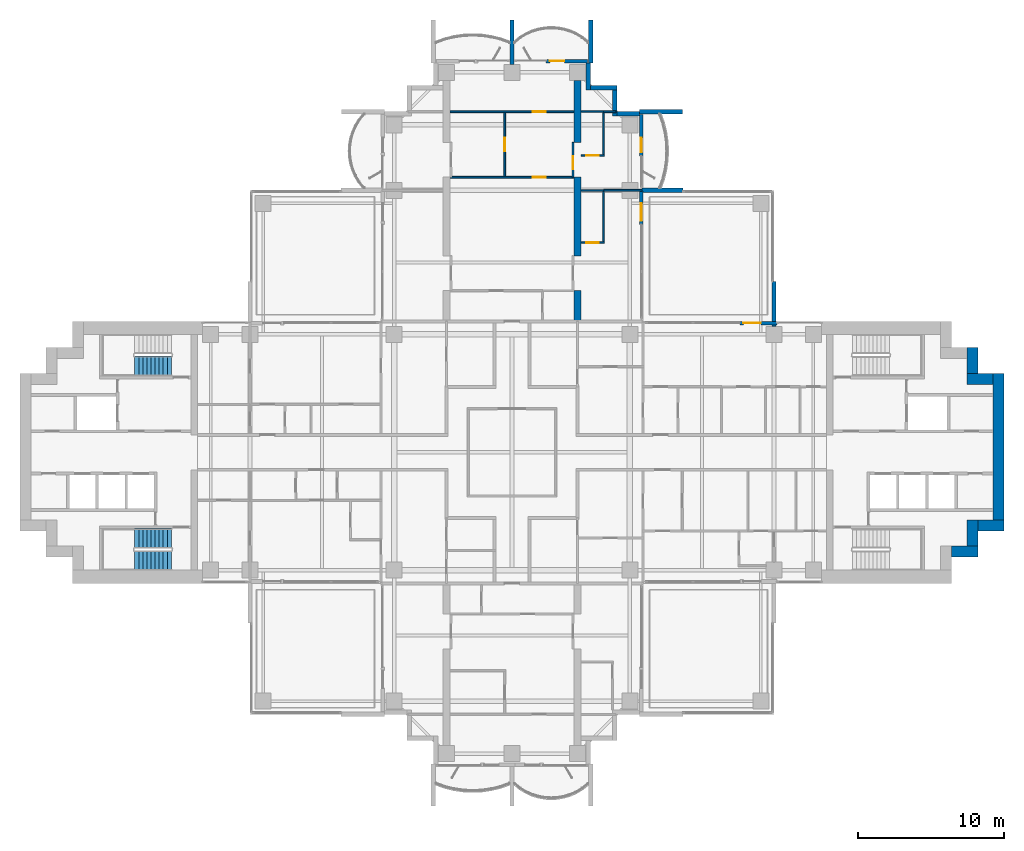
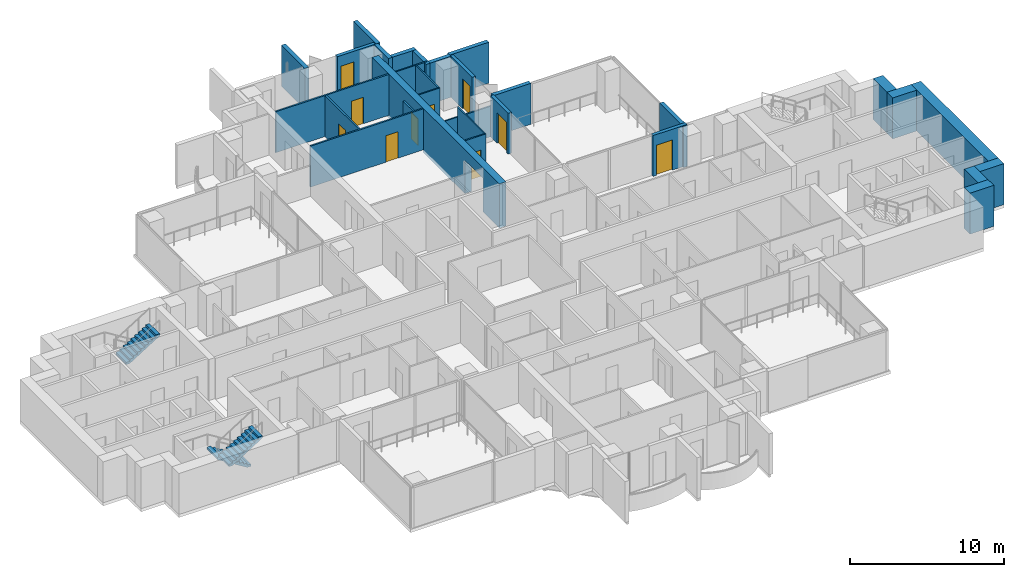
# One storey, part 14 of 19: 32 walls, 10 doors, 3 stair flights, 10 openings, 2 elements without a shape of their own.
"""IFC4 building model written with IfcOpenShell, lengths in metres."""

import ifcopenshell
import ifcopenshell.guid

model = None  # the IFC model being written
_history = None  # IfcOwnerHistory: only IFC2X3 demands one
_inside = {}  # id of a spatial element -> (the spatial element, [elements in it])
_under = {}  # id of a project, library or spatial element -> (it, [spatial elements below it])
_declared = {}  # id of a project -> (the project, [libraries it declares])
_typed = {}  # id of a type object -> (the type object, [elements of that type])
_made_of = {}  # id of a material, layer set ... -> (it, [elements and type objects made of it])


def new_model(schema):
    """Start an empty IFC model of exactly this schema.

    Asked for "IFC4X3", IfcOpenShell would pick the latest addendum, in which some entities
    have other attributes; the version numbers below select the first issue.
    IFC2X3 requires an IfcOwnerHistory on every rooted entity: one is made here for all.
    """
    global model, _history
    if schema == "IFC4X3":
        model = ifcopenshell.file(schema_version=(4, 3, 0, 0))
    else:
        model = ifcopenshell.file(schema=schema)
    _inside.clear()
    _under.clear()
    _declared.clear()
    _typed.clear()
    _made_of.clear()
    _history = None
    if model.schema == "IFC2X3":
        org = make("IfcOrganization", Name="unknown")
        user = make(
            "IfcPersonAndOrganization",
            ThePerson=make("IfcPerson", FamilyName="unknown"),
            TheOrganization=org,
        )
        app = make(
            "IfcApplication",
            ApplicationDeveloper=org,
            Version="unknown",
            ApplicationFullName="unknown",
            ApplicationIdentifier="unknown",
        )
        _history = make(
            "IfcOwnerHistory",
            OwningUser=user,
            OwningApplication=app,
            ChangeAction="ADDED",
            CreationDate=0,
        )
    return model


def make(cls, **values):
    """One entity of the class cls with the attributes given. An attribute that is None is left unset."""
    return model.create_entity(
        cls, **{name: value for name, value in values.items() if value is not None}
    )


def rooted(cls, **values):
    """An entity with a GlobalId (a new one), such as an element, a storey or a relation."""
    return make(cls, GlobalId=ifcopenshell.guid.new(), OwnerHistory=_history, **values)


def si_unit(unit_type, name, prefix=None):
    """IfcSIUnit, for example si_unit("LENGTHUNIT", "METRE", prefix="MILLI")."""
    return make("IfcSIUnit", UnitType=unit_type, Prefix=prefix, Name=name)


def assignment(units):
    """IfcUnitAssignment: the units of a project."""
    return None if units is None else make("IfcUnitAssignment", Units=units)


def point(xyz):
    """IfcCartesianPoint."""
    return None if xyz is None else make("IfcCartesianPoint", Coordinates=xyz)


def direction(xyz):
    """IfcDirection."""
    return None if xyz is None else make("IfcDirection", DirectionRatios=xyz)


def frame(location, z_axis=None, x_axis=None):
    """IfcAxis2Placement3D, a coordinate frame: its origin and axes. An axis left out is left unset."""
    return make(
        "IfcAxis2Placement3D",
        Location=point(location),
        Axis=direction(z_axis),
        RefDirection=direction(x_axis),
    )


def frame_2d(location, x_axis=None):
    """IfcAxis2Placement2D, a coordinate frame in the plane: its origin and x axis."""
    return make(
        "IfcAxis2Placement2D", Location=point(location), RefDirection=direction(x_axis)
    )


def origin():
    """The frame at (0, 0, 0) with its axes left unset."""
    return frame((0.0, 0.0, 0.0))


def place(relative_to, where):
    """IfcLocalPlacement: puts the frame where relative to a parent placement (None: the world)."""
    return make(
        "IfcLocalPlacement", PlacementRelTo=relative_to, RelativePlacement=where
    )


def context(
    kind, dimensions, precision=None, world=None, true_north=None, identifier=None
):
    """IfcGeometricRepresentationContext, for example the 3D "Model" context."""
    return make(
        "IfcGeometricRepresentationContext",
        ContextIdentifier=identifier,
        ContextType=kind,
        CoordinateSpaceDimension=dimensions,
        Precision=precision,
        WorldCoordinateSystem=world,
        TrueNorth=true_north,
    )


def subcontext(parent, identifier, kind, view, scale=None):
    """IfcGeometricRepresentationSubContext, for example "Body" below "Model"."""
    return make(
        "IfcGeometricRepresentationSubContext",
        ContextIdentifier=identifier,
        ContextType=kind,
        ParentContext=parent,
        TargetScale=scale,
        TargetView=view,
    )


def project(units=None, contexts=None):
    """IfcProject with its units and contexts."""
    return rooted(
        "IfcProject",
        Name="project",
        RepresentationContexts=contexts,
        UnitsInContext=assignment(units),
    )


def spatial(cls, under=None, at=None, **own):
    """A site, building, storey or space (cls), placed at a placement, below another one or the project."""
    s = rooted(cls, ObjectPlacement=at, **own)
    if under is not None:
        _under.setdefault(under.id(), (under, []))[1].append(s)
    return s


def polyline(points):
    """IfcPolyline through the points."""
    return make("IfcPolyline", Points=[point(p) for p in points])


def profile(cls, at=None, kind="AREA", **sizes):
    """A parametric profile (cls). Its sizes go by their IFC names, for example OverallWidth=200.0."""
    return make(cls, ProfileType=kind, Position=at, **sizes)


def rectangle(**sizes):
    """IfcRectangleProfileDef."""
    return profile("IfcRectangleProfileDef", **sizes)


def outline(outer, holes=None, kind="AREA"):
    """IfcArbitraryClosedProfileDef: a profile drawn as a closed curve; with holes, ...WithVoids."""
    if holes is None:
        return make("IfcArbitraryClosedProfileDef", ProfileType=kind, OuterCurve=outer)
    return make(
        "IfcArbitraryProfileDefWithVoids",
        ProfileType=kind,
        OuterCurve=outer,
        InnerCurves=holes,
    )


def extrude(swept, where, along, depth):
    """IfcExtrudedAreaSolid: the profile swept, set in the frame where, extruded along a direction by depth."""
    return make(
        "IfcExtrudedAreaSolid",
        SweptArea=swept,
        Position=where,
        ExtrudedDirection=direction(along),
        Depth=depth,
    )


def shape(context_of_items, identifier, shape_type, items):
    """IfcShapeRepresentation: the items that make up one representation, for example the "Body"."""
    return make(
        "IfcShapeRepresentation",
        ContextOfItems=context_of_items,
        RepresentationIdentifier=identifier,
        RepresentationType=shape_type,
        Items=items,
    )


def material(Name=None, Category=None):
    """IfcMaterial."""
    return make("IfcMaterial", Name=Name, Category=Category)


def layer(
    of_material, thickness, ventilated=None, Name=None, Category=None, Priority=None
):
    """IfcMaterialLayer: one layer of a wall or slab, of a material (None: an air gap)."""
    return make(
        "IfcMaterialLayer",
        Material=of_material,
        LayerThickness=thickness,
        IsVentilated=ventilated,
        Name=Name,
        Category=Category,
        Priority=Priority,
    )


def layer_set(layers, Name=None):
    """IfcMaterialLayerSet."""
    return make("IfcMaterialLayerSet", MaterialLayers=layers, LayerSetName=Name)


def material_profile(
    of_material, cross_section, Name=None, Category=None, Priority=None
):
    """IfcMaterialProfile: a cross section and its material."""
    return make(
        "IfcMaterialProfile",
        Name=Name,
        Material=of_material,
        Profile=cross_section,
        Priority=Priority,
        Category=Category,
    )


def profile_set(profiles, Name=None, composite=None):
    """IfcMaterialProfileSet."""
    return make(
        "IfcMaterialProfileSet",
        Name=Name,
        MaterialProfiles=profiles,
        CompositeProfile=composite,
    )


def made_of(thing, what):
    """Note that an element or type object is made of a material, layer set ...; save() writes the relation."""
    if what is not None:
        _made_of.setdefault(what.id(), (what, []))[1].append(thing)
    return thing


def type_object(cls, material=None, **own):
    """A type object (cls), such as IfcWallType, which elements share."""
    return made_of(rooted(cls, **own), material)


def element(
    cls,
    number,
    at=None,
    inside=None,
    cuts=None,
    type_object=None,
    material=None,
    context=None,
    identifier="Body",
    shape_type=None,
    held_by="IfcProductDefinitionShape",
    body=None,
    shapes=None,
    **own,
):
    """One element of the class cls, such as IfcWall. Its Tag is "e" and its number.

    at: its placement. inside: the storey or other place that contains it. cuts: it is an
    opening in that element (IfcRelVoidsElement). A single representation is given by context,
    identifier, shape_type and body (its items); several are given by shapes. held_by: the class
    of the entity that holds the representations. save() writes the other relations.
    """
    e = rooted(cls, Tag="e%d" % number, ObjectPlacement=at, **own)
    if body is not None:
        shapes = [shape(context, identifier, shape_type, body)]
    if shapes is not None:
        e.Representation = make(held_by, Representations=shapes)
    if inside is not None:
        _inside.setdefault(inside.id(), (inside, []))[1].append(e)
    if cuts is not None:
        rooted(
            "IfcRelVoidsElement", RelatingBuildingElement=cuts, RelatedOpeningElement=e
        )
    if type_object is not None:
        _typed.setdefault(type_object.id(), (type_object, []))[1].append(e)
    return made_of(e, material)


def fill(opening, filler):
    """IfcRelFillsElement: the door or window that sits in an opening."""
    return rooted(
        "IfcRelFillsElement",
        RelatingOpeningElement=opening,
        RelatedBuildingElement=filler,
    )


def aggregate(whole, parts):
    """IfcRelAggregates: a whole, such as a stair, and the parts it consists of."""
    return rooted("IfcRelAggregates", RelatingObject=whole, RelatedObjects=parts)


def save(model, path):
    """Write the relations noted so far, then the file.

    IfcRelAggregates (storeys below a building ...), IfcRelContainedInSpatialStructure (elements
    in a storey), IfcRelDefinesByType, IfcRelAssociatesMaterial and IfcRelDeclares: one each for
    every whole, place, type object, material and project.
    """
    for whole, parts in _under.values():
        aggregate(whole, parts)
    for where, things in _inside.values():
        rooted(
            "IfcRelContainedInSpatialStructure",
            RelatedElements=things,
            RelatingStructure=where,
        )
    for kind, things in _typed.values():
        rooted("IfcRelDefinesByType", RelatedObjects=things, RelatingType=kind)
    for what, things in _made_of.values():
        rooted("IfcRelAssociatesMaterial", RelatedObjects=things, RelatingMaterial=what)
    for by, libraries in _declared.values():
        rooted("IfcRelDeclares", RelatingContext=by, RelatedDefinitions=libraries)
    model.write(path)


model = new_model("IFC4")

# Units and contexts
model_context = context("Model", 3, precision=1e-05, world=origin(), true_north=direction((0.0, 1.0)))
body_context = subcontext(model_context, "Body", "Model", "MODEL_VIEW")
ifc_project = project(units=[si_unit("LENGTHUNIT", "METRE"), si_unit("AREAUNIT", "SQUARE_METRE"), si_unit("VOLUMEUNIT", "CUBIC_METRE"), si_unit("PLANEANGLEUNIT", "RADIAN"), si_unit("MASSUNIT", "GRAM", prefix="KILO")], contexts=[model_context])

# Site, building, storey
site_placement = place(None, origin())
site = spatial("IfcSite", under=ifc_project, at=site_placement, CompositionType="ELEMENT")
building_placement = place(site_placement, origin())
building = spatial("IfcBuilding", under=site, at=building_placement, Name="Perihelion Cross Residences", CompositionType="ELEMENT")
storey_placement = place(building_placement, frame((0.0, 0.0, 119.89990234375)))
storey = spatial("IfcBuildingStorey", under=building, at=storey_placement, Name="L28", CompositionType="ELEMENT", Elevation=119.89990234375)

# Wall, opening, door
ifc_material_1 = material(Name="Concrete C30/37, bronze-clad", Category="concrete")
ifc_layer_1 = layer(ifc_material_1, 0.25)
ifc_layer_set_1 = layer_set([ifc_layer_1], Name="Bronze-clad pier wall 250")
wall_type_1 = type_object("IfcWallType", Name="Bronze-clad pier wall 250", PredefinedType="SOLIDWALL", material=ifc_layer_set_1)
wall_1_placement = place(storey_placement, frame((18.199951171875, 8.875, 0.0), z_axis=(0.0, 0.0, 1.0), x_axis=(-1.0, 0.0, 0.0)))
wall_1 = element("IfcWall", 1, at=wall_1_placement, inside=storey, type_object=wall_type_1, Name="Wall FW1 L28 east side north bay 2 pier", PredefinedType="SOLIDWALL", context=body_context, shape_type="SweptSolid", body=[
    extrude(rectangle(XDim=2.550048828125, YDim=0.25, at=frame_2d((1.27490234375, 0.0))), origin(), (0.0, 0.0, 1.0), 3.25),
])
opening_1_placement = place(wall_1_placement, frame((1.10009765625, 0.0, 0.0)))
opening_1 = element("IfcOpeningElement", 2, at=opening_1_placement, cuts=wall_1, Name="Opening L28.E01", PredefinedType="OPENING", context=body_context, shape_type="SweptSolid", body=[
    extrude(rectangle(XDim=1.199951171875, YDim=2.39990234375, at=frame_2d((0.60009765625, 1.199951171875))), frame((0.0, 0.135009765625, 0.0), z_axis=(0.0, -1.0, 0.0), x_axis=(1.0, 0.0, 0.0)), (0.0, 0.0, 1.0), 0.27001953125),
])
ifc_material_2 = material(Name="Bronze anodised aluminium, glazed", Category="aluminium")
door_type_1 = type_object("IfcDoorType", Name="Balcony door 1200 x 2400", OperationType="NOTDEFINED", PredefinedType="DOOR", material=ifc_material_2)
door_1_placement = place(opening_1_placement, origin())
door_1 = element("IfcDoor", 3, at=door_1_placement, inside=storey, type_object=door_type_1, Name="Door L28.E01 east side north bay 2", OperationType="SINGLE_SWING_RIGHT", OverallHeight=2.39990234375, OverallWidth=1.199951171875, PredefinedType="DOOR", context=body_context, shape_type="SweptSolid", body=[
    extrude(rectangle(XDim=1.199951171875, YDim=2.39990234375, at=frame_2d((0.60009765625, 1.199951171875))), frame((0.0, 0.02490234375, 0.0), z_axis=(0.0, -1.0, 0.0), x_axis=(1.0, 0.0, 0.0)), (0.0, 0.0, 1.0), 0.050048828125),
])
fill(opening_1, door_1)

wall_2_placement = place(storey_placement, frame((8.875, 15.64990234375, 0.0), z_axis=(0.0, 0.0, 1.0), x_axis=(0.0, 1.0, 0.0)))
wall_2 = element("IfcWall", 4, at=wall_2_placement, inside=storey, type_object=wall_type_1, Name="Wall FW1 L28 north side east bay 1 pier", PredefinedType="SOLIDWALL", context=body_context, shape_type="SweptSolid", body=[
    extrude(rectangle(XDim=2.2900390625, YDim=0.25, at=frame_2d((1.14501953125, 0.0))), origin(), (0.0, 0.0, 1.0), 3.25),
])
opening_2_placement = place(wall_2_placement, frame((0.25, 0.0, 0.0)))
opening_2 = element("IfcOpeningElement", 5, at=opening_2_placement, cuts=wall_2, Name="Opening L28.E02", PredefinedType="OPENING", context=body_context, shape_type="SweptSolid", body=[
    extrude(rectangle(XDim=1.199951171875, YDim=2.39990234375, at=frame_2d((0.60009765625, 1.199951171875))), frame((0.0, 0.135009765625, 0.0), z_axis=(0.0, -1.0, 0.0), x_axis=(1.0, 0.0, 0.0)), (0.0, 0.0, 1.0), 0.27001953125),
])
door_2_placement = place(opening_2_placement, origin())
door_2 = element("IfcDoor", 6, at=door_2_placement, inside=storey, type_object=door_type_1, Name="Door L28.E02 north side east bay 1", OperationType="SINGLE_SWING_LEFT", OverallHeight=2.39990234375, OverallWidth=1.199951171875, PredefinedType="DOOR", context=body_context, shape_type="SweptSolid", body=[
    extrude(rectangle(XDim=1.199951171875, YDim=2.39990234375, at=frame_2d((0.60009765625, 1.199951171875))), frame((0.0, 0.02490234375, 0.0), z_axis=(0.0, -1.0, 0.0), x_axis=(1.0, 0.0, 0.0)), (0.0, 0.0, 1.0), 0.050048828125),
])
fill(opening_2, door_2)

wall_3_placement = place(storey_placement, frame((8.875, 20.35009765625, 0.0), z_axis=(0.0, 0.0, 1.0), x_axis=(0.0, 1.0, 0.0)))
wall_3 = element("IfcWall", 7, at=wall_3_placement, inside=storey, type_object=wall_type_1, Name="Wall FW1 L28 north side east bay 2 pier", PredefinedType="SOLIDWALL", context=body_context, shape_type="SweptSolid", body=[
    extrude(rectangle(XDim=2.849853515625, YDim=0.25, at=frame_2d((1.4248046875, 0.0))), origin(), (0.0, 0.0, 1.0), 3.25),
])
opening_3_placement = place(wall_3_placement, frame((0.25, 0.0, 0.0)))
opening_3 = element("IfcOpeningElement", 8, at=opening_3_placement, cuts=wall_3, Name="Opening L28.E03", PredefinedType="OPENING", context=body_context, shape_type="SweptSolid", body=[
    extrude(rectangle(XDim=1.0, YDim=2.39990234375, at=frame_2d((0.5, 1.199951171875))), frame((0.0, 0.135009765625, 0.0), z_axis=(0.0, -1.0, 0.0), x_axis=(1.0, 0.0, 0.0)), (0.0, 0.0, 1.0), 0.27001953125),
])
ifc_material_3 = material(Name="Bronze anodised aluminium, glazed", Category="aluminium")
door_type_2 = type_object("IfcDoorType", Name="Balcony door 1000 x 2400", OperationType="NOTDEFINED", PredefinedType="DOOR", material=ifc_material_3)
door_3_placement = place(opening_3_placement, origin())
door_3 = element("IfcDoor", 9, at=door_3_placement, inside=storey, type_object=door_type_2, Name="Door L28.E03 north side east bay 2", OperationType="SINGLE_SWING_RIGHT", OverallHeight=2.39990234375, OverallWidth=1.0, PredefinedType="DOOR", context=body_context, shape_type="SweptSolid", body=[
    extrude(rectangle(XDim=1.0, YDim=2.39990234375, at=frame_2d((0.5, 1.199951171875))), frame((0.0, 0.02490234375, 0.0), z_axis=(0.0, -1.0, 0.0), x_axis=(1.0, 0.0, 0.0)), (0.0, 0.0, 1.0), 0.050048828125),
])
fill(opening_3, door_3)

wall_4_placement = place(storey_placement, frame((5.199951171875, 26.875, 0.0), z_axis=(0.0, 0.0, 1.0), x_axis=(-1.0, 0.0, 0.0)))
wall_4 = element("IfcWall", 10, at=wall_4_placement, inside=storey, type_object=wall_type_1, Name="Wall FW1 L28 north tip north bay 1 pier", PredefinedType="SOLIDWALL", context=body_context, shape_type="SweptSolid", body=[
    extrude(rectangle(XDim=2.849853515625, YDim=0.25, at=frame_2d((1.4248046875, 0.0))), origin(), (0.0, 0.0, 1.0), 3.25),
])
opening_4_placement = place(wall_4_placement, frame((1.60009765625, 0.0, 0.0)))
opening_4 = element("IfcOpeningElement", 11, at=opening_4_placement, cuts=wall_4, Name="Opening L28.E04", PredefinedType="OPENING", context=body_context, shape_type="SweptSolid", body=[
    extrude(rectangle(XDim=1.0, YDim=2.39990234375, at=frame_2d((0.5, 1.199951171875))), frame((0.0, 0.135009765625, 0.0), z_axis=(0.0, -1.0, 0.0), x_axis=(1.0, 0.0, 0.0)), (0.0, 0.0, 1.0), 0.27001953125),
])
door_4_placement = place(opening_4_placement, origin())
door_4 = element("IfcDoor", 12, at=door_4_placement, inside=storey, type_object=door_type_2, Name="Door L28.E04 north tip north bay 1", OperationType="SINGLE_SWING_LEFT", OverallHeight=2.39990234375, OverallWidth=1.0, PredefinedType="DOOR", context=body_context, shape_type="SweptSolid", body=[
    extrude(rectangle(XDim=1.0, YDim=2.39990234375, at=frame_2d((0.5, 1.199951171875))), frame((0.0, 0.02490234375, 0.0), z_axis=(0.0, -1.0, 0.0), x_axis=(1.0, 0.0, 0.0)), (0.0, 0.0, 1.0), 0.050048828125),
])
fill(opening_4, door_4)

# Walls
ifc_material_4 = material(Name="Concrete C30/37, bronze-clad", Category="concrete")
ifc_layer_2 = layer(ifc_material_4, 0.300048828125)
ifc_layer_set_2 = layer_set([ifc_layer_2], Name="Bronze-clad serration wall 300")
wall_type_2 = type_object("IfcWallType", Name="Bronze-clad serration wall 300", PredefinedType="SOLIDWALL", material=ifc_layer_set_2)
wall_5_placement = place(storey_placement, frame((8.75, 23.25, 0.0), z_axis=(0.0, 0.0, 1.0), x_axis=(-1.0, 0.0, 0.0)))
element("IfcWall", 13, at=wall_5_placement, inside=storey, type_object=wall_type_2, Name="Wall SR1 L28 north corner north-east 1", PredefinedType="SOLIDWALL", context=body_context, shape_type="SweptSolid", body=[
    extrude(rectangle(XDim=1.550048828125, YDim=0.300048828125, at=frame_2d((0.77490234375, 0.0))), origin(), (0.0, 0.0, 1.0), 3.25),
])
wall_6_placement = place(storey_placement, frame((7.050048828125, 23.10009765625, 0.0), z_axis=(0.0, 0.0, 1.0), x_axis=(0.0, 1.0, 0.0)))
element("IfcWall", 14, at=wall_6_placement, inside=storey, type_object=wall_type_2, Name="Wall SR1 L28 north corner north-east 2", PredefinedType="SOLIDWALL", context=body_context, shape_type="SweptSolid", body=[
    extrude(rectangle(XDim=1.7998046875, YDim=0.300048828125, at=frame_2d((0.89990234375, 0.0))), origin(), (0.0, 0.0, 1.0), 3.25),
])
wall_7_placement = place(storey_placement, frame((7.199951171875, 25.050048828125, 0.0), z_axis=(0.0, 0.0, 1.0), x_axis=(-1.0, 0.0, 0.0)))
element("IfcWall", 15, at=wall_7_placement, inside=storey, type_object=wall_type_2, Name="Wall SR1 L28 north corner north-east 3", PredefinedType="SOLIDWALL", context=body_context, shape_type="SweptSolid", body=[
    extrude(rectangle(XDim=1.800048828125, YDim=0.300048828125, at=frame_2d((0.89990234375, 0.0))), origin(), (0.0, 0.0, 1.0), 3.25),
])
wall_8_placement = place(storey_placement, frame((5.25, 24.89990234375, 0.0), z_axis=(0.0, 0.0, 1.0), x_axis=(0.0, 1.0, 0.0)))
element("IfcWall", 16, at=wall_8_placement, inside=storey, type_object=wall_type_2, Name="Wall SR1 L28 north corner north-east 4", PredefinedType="SOLIDWALL", context=body_context, shape_type="SweptSolid", body=[
    extrude(rectangle(XDim=1.85009765625, YDim=0.300048828125, at=frame_2d((0.925048828125, 0.0))), origin(), (0.0, 0.0, 1.0), 3.25),
])
ifc_material_5 = material(Name="Concrete C60/75", Category="concrete")
ifc_layer_3 = layer(ifc_material_5, 0.75)
ifc_layer_set_3 = layer_set([ifc_layer_3], Name="Core wall, outer 750")
wall_type_3 = type_object("IfcWallType", Name="Core wall, outer 750", PredefinedType="SHEAR", material=ifc_layer_set_3)
for number, where, z_axis, x_axis, name in (
    (17, (30.199951171875, -6.824951171875, 0.0), (0.0, 0.0, 1.0), (1.0, 0.0, 0.0), "East core core wall, outer"),
    (18, (31.625, -6.449951171875, 0.0), (0.0, 0.0, 1.0), (0.0, 1.0, 0.0), "East core core wall, outer"),
    (19, (32.0, -5.02490234375, 0.0), (0.0, 0.0, 1.0), (1.0, 0.0, 0.0), "East core core wall, outer"),
):
    element("IfcWall", number, at=place(storey_placement, frame(where, z_axis=z_axis, x_axis=x_axis)), inside=storey, type_object=wall_type_3, Name=name, PredefinedType="SHEAR", context=body_context, shape_type="SweptSolid", body=[
        extrude(rectangle(XDim=1.800048828125, YDim=0.75, at=frame_2d((0.89990234375, 0.0))), origin(), (0.0, 0.0, 1.0), 3.25),
    ])
wall_9_placement = place(storey_placement, frame((33.425048828125, -4.64990234375, 0.0), z_axis=(0.0, 0.0, 1.0), x_axis=(0.0, 1.0, 0.0)))
element("IfcWall", 20, at=wall_9_placement, inside=storey, type_object=wall_type_3, Name="East core core wall, outer", PredefinedType="SHEAR", context=body_context, shape_type="SweptSolid", body=[
    extrude(rectangle(XDim=10.0498046875, YDim=0.75, at=frame_2d((5.02490234375, 0.0))), origin(), (0.0, 0.0, 1.0), 3.25),
])
for number, where, z_axis, x_axis, name in (
    (21, (31.25, 5.02490234375, 0.0), (0.0, 0.0, 1.0), (1.0, 0.0, 0.0), "East core core wall, outer"),
    (22, (31.625, 5.39990234375, 0.0), (0.0, 0.0, 1.0), (0.0, 1.0, 0.0), "East core core wall, outer"),
):
    element("IfcWall", number, at=place(storey_placement, frame(where, z_axis=z_axis, x_axis=x_axis)), inside=storey, type_object=wall_type_3, Name=name, PredefinedType="SHEAR", context=body_context, shape_type="SweptSolid", body=[
        extrude(rectangle(XDim=1.800048828125, YDim=0.75, at=frame_2d((0.89990234375, 0.0))), origin(), (0.0, 0.0, 1.0), 3.25),
    ])

# Wall, opening, door
ifc_material_6 = material(Name="Plasterboard partition")
ifc_layer_4 = layer(ifc_material_6, 0.1201171875)
ifc_layer_set_4 = layer_set([ifc_layer_4], Name="Infill panel 120")
wall_type_4 = type_object("IfcWallType", Name="Infill panel 120", PredefinedType="PARTITIONING", material=ifc_layer_set_4)
wall_10_placement = place(storey_placement, frame((4.18994140625, 18.89990234375, 0.0), z_axis=(0.0, 0.0, 1.0), x_axis=(0.0, 1.0, 0.0)))
wall_10 = element("IfcWall", 23, at=wall_10_placement, inside=storey, type_object=wall_type_4, Name="Partition L28 WI02", PredefinedType="PARTITIONING", context=body_context, shape_type="SweptSolid", body=[
    extrude(rectangle(XDim=2.400146484375, YDim=0.1201171875, at=frame_2d((1.2001953125, 0.0))), origin(), (0.0, 0.0, 1.0), 2.400146484375),
])
opening_5_placement = place(wall_10_placement, frame((0.550048828125, 0.0, 0.0)))
opening_5 = element("IfcOpeningElement", 24, at=opening_5_placement, cuts=wall_10, Name="Opening L28.A54", PredefinedType="OPENING", context=body_context, shape_type="SweptSolid", body=[
    extrude(rectangle(XDim=0.89990234375, YDim=2.10009765625, at=frame_2d((0.449951171875, 1.050048828125))), frame((0.0, 0.070068359375, 0.0), z_axis=(0.0, -1.0, 0.0), x_axis=(1.0, 0.0, 0.0)), (0.0, 0.0, 1.0), 0.14013671875),
])
ifc_material_7 = material(Name="Timber door leaf", Category="wood")
door_type_3 = type_object("IfcDoorType", Name="Interior room door 900 x 2100", OperationType="SINGLE_SWING_LEFT", PredefinedType="DOOR", material=ifc_material_7)
door_5_placement = place(opening_5_placement, origin())
door_5 = element("IfcDoor", 25, at=door_5_placement, inside=storey, type_object=door_type_3, Name="Door L28.A54", OperationType="SINGLE_SWING_RIGHT", OverallHeight=2.10009765625, OverallWidth=0.89990234375, PredefinedType="DOOR", context=body_context, shape_type="SweptSolid", body=[
    extrude(rectangle(XDim=0.89990234375, YDim=2.10009765625, at=frame_2d((0.449951171875, 1.050048828125))), frame((0.0, 0.02490234375, 0.0), z_axis=(0.0, -1.0, 0.0), x_axis=(1.0, 0.0, 0.0)), (0.0, 0.0, 1.0), 0.050048828125),
])
fill(opening_5, door_5)

ifc_material_8 = material(Name="Plasterboard partition")
ifc_layer_5 = layer(ifc_material_8, 0.1201171875)
ifc_layer_set_5 = layer_set([ifc_layer_5], Name="Partition wall 120")
wall_type_5 = type_object("IfcWallType", Name="Partition wall 120", PredefinedType="PARTITIONING", material=ifc_layer_set_5)
wall_11_placement = place(storey_placement, frame((-4.25, 18.89990234375, 0.0), z_axis=(0.0, 0.0, 1.0), x_axis=(1.0, 0.0, 0.0)))
wall_11 = element("IfcWall", 26, at=wall_11_placement, inside=storey, type_object=wall_type_5, Name="Partition L28 W069", PredefinedType="PARTITIONING", context=body_context, shape_type="SweptSolid", body=[
    extrude(rectangle(XDim=8.5, YDim=0.1201171875, at=frame_2d((4.25, 0.0))), origin(), (0.0, 0.0, 1.0), 3.25),
])
opening_6_placement = place(wall_11_placement, frame((5.675048828125, 0.0, 0.0)))
opening_6 = element("IfcOpeningElement", 27, at=opening_6_placement, cuts=wall_11, Name="Opening L28.A38", PredefinedType="OPENING", context=body_context, shape_type="SweptSolid", body=[
    extrude(rectangle(XDim=0.89990234375, YDim=2.10009765625, at=frame_2d((0.449951171875, 1.050048828125))), frame((0.0, 0.070068359375, 0.0), z_axis=(0.0, -1.0, 0.0), x_axis=(1.0, 0.0, 0.0)), (0.0, 0.0, 1.0), 0.14013671875),
])
door_6_placement = place(opening_6_placement, origin())
door_6 = element("IfcDoor", 28, at=door_6_placement, inside=storey, type_object=door_type_3, Name="Door L28.A38", OperationType="SINGLE_SWING_LEFT", OverallHeight=2.10009765625, OverallWidth=0.89990234375, PredefinedType="DOOR", context=body_context, shape_type="SweptSolid", body=[
    extrude(rectangle(XDim=0.89990234375, YDim=2.10009765625, at=frame_2d((0.449951171875, 1.050048828125))), frame((0.0, 0.02490234375, 0.0), z_axis=(0.0, -1.0, 0.0), x_axis=(1.0, 0.0, 0.0)), (0.0, 0.0, 1.0), 0.050048828125),
])
fill(opening_6, door_6)

wall_12_placement = place(storey_placement, frame((-0.5, 18.9599609375, 0.0), z_axis=(0.0, 0.0, 1.0), x_axis=(0.0, 1.0, 0.0)))
wall_12 = element("IfcWall", 29, at=wall_12_placement, inside=storey, type_object=wall_type_5, Name="Partition L28 W070", PredefinedType="PARTITIONING", context=body_context, shape_type="SweptSolid", body=[
    extrude(rectangle(XDim=4.380126953125, YDim=0.1201171875, at=frame_2d((2.18994140625, 0.0))), origin(), (0.0, 0.0, 1.0), 3.25),
])
opening_7_placement = place(wall_12_placement, frame((1.739990234375, 0.0, 0.0)))
opening_7 = element("IfcOpeningElement", 30, at=opening_7_placement, cuts=wall_12, Name="Opening L28.A39", PredefinedType="OPENING", context=body_context, shape_type="SweptSolid", body=[
    extrude(rectangle(XDim=0.89990234375, YDim=2.10009765625, at=frame_2d((0.449951171875, 1.050048828125))), frame((0.0, 0.070068359375, 0.0), z_axis=(0.0, -1.0, 0.0), x_axis=(1.0, 0.0, 0.0)), (0.0, 0.0, 1.0), 0.14013671875),
])
door_7_placement = place(opening_7_placement, origin())
door_7 = element("IfcDoor", 31, at=door_7_placement, inside=storey, type_object=door_type_3, Name="Door L28.A39", OperationType="SINGLE_SWING_LEFT", OverallHeight=2.10009765625, OverallWidth=0.89990234375, PredefinedType="DOOR", context=body_context, shape_type="SweptSolid", body=[
    extrude(rectangle(XDim=0.89990234375, YDim=2.10009765625, at=frame_2d((0.449951171875, 1.050048828125))), frame((0.0, 0.02490234375, 0.0), z_axis=(0.0, -1.0, 0.0), x_axis=(1.0, 0.0, 0.0)), (0.0, 0.0, 1.0), 0.050048828125),
])
fill(opening_7, door_7)

wall_13_placement = place(storey_placement, frame((-4.25, 23.39990234375, 0.0), z_axis=(0.0, 0.0, 1.0), x_axis=(1.0, 0.0, 0.0)))
wall_13 = element("IfcWall", 32, at=wall_13_placement, inside=storey, type_object=wall_type_5, Name="Partition L28 W071", PredefinedType="PARTITIONING", context=body_context, shape_type="SweptSolid", body=[
    extrude(rectangle(XDim=8.5, YDim=0.1201171875, at=frame_2d((4.25, 0.0))), origin(), (0.0, 0.0, 1.0), 3.25),
])
opening_8_placement = place(wall_13_placement, frame((5.675048828125, 0.0, 0.0)))
opening_8 = element("IfcOpeningElement", 33, at=opening_8_placement, cuts=wall_13, Name="Opening L28.A40", PredefinedType="OPENING", context=body_context, shape_type="SweptSolid", body=[
    extrude(rectangle(XDim=0.89990234375, YDim=2.10009765625, at=frame_2d((0.449951171875, 1.050048828125))), frame((0.0, 0.070068359375, 0.0), z_axis=(0.0, -1.0, 0.0), x_axis=(1.0, 0.0, 0.0)), (0.0, 0.0, 1.0), 0.14013671875),
])
door_8_placement = place(opening_8_placement, origin())
door_8 = element("IfcDoor", 34, at=door_8_placement, inside=storey, type_object=door_type_3, Name="Door L28.A40", OperationType="SINGLE_SWING_RIGHT", OverallHeight=2.10009765625, OverallWidth=0.89990234375, PredefinedType="DOOR", context=body_context, shape_type="SweptSolid", body=[
    extrude(rectangle(XDim=0.89990234375, YDim=2.10009765625, at=frame_2d((0.449951171875, 1.050048828125))), frame((0.0, 0.02490234375, 0.0), z_axis=(0.0, -1.0, 0.0), x_axis=(1.0, 0.0, 0.0)), (0.0, 0.0, 1.0), 0.050048828125),
])
fill(opening_8, door_8)

# Walls
wall_14_placement = place(storey_placement, frame((6.300048828125, 18.0, 0.0), z_axis=(0.0, 0.0, 1.0), x_axis=(1.0, 0.0, 0.0)))
element("IfcWall", 35, at=wall_14_placement, inside=storey, type_object=wall_type_5, Name="Partition L28 W074", PredefinedType="PARTITIONING", context=body_context, shape_type="SweptSolid", body=[
    extrude(rectangle(XDim=2.619873046875, YDim=0.1201171875, at=frame_2d((1.31005859375, 0.0))), origin(), (0.0, 0.0, 1.0), 2.4140625),
])
wall_15_placement = place(storey_placement, frame((6.300048828125, 23.39990234375, 0.0), z_axis=(0.0, 0.0, 1.0), x_axis=(1.0, 0.0, 0.0)))
element("IfcWall", 36, at=wall_15_placement, inside=storey, type_object=wall_type_5, Name="Partition L28 W078", PredefinedType="PARTITIONING", context=body_context, shape_type="SweptSolid", body=[
    extrude(rectangle(XDim=0.820068359375, YDim=0.1201171875, at=frame_2d((0.41015625, 0.0))), origin(), (0.0, 0.0, 1.0), 3.25),
])
ifc_material_9 = material(Name="Precast concrete C50/60", Category="concrete")
ifc_layer_6 = layer(ifc_material_9, 0.300048828125)
ifc_layer_set_6 = layer_set([ifc_layer_6], Name="Precast concrete C50/60 blade wall 300")
wall_type_6 = type_object("IfcWallType", Name="Precast concrete C50/60 blade wall 300", PredefinedType="SOLIDWALL", material=ifc_layer_set_6)
wall_16_placement = place(storey_placement, frame((0.0, 26.64990234375, 0.0), z_axis=(0.0, 0.0, 1.0), x_axis=(0.0, 1.0, 0.0)))
element("IfcWall", 37, at=wall_16_placement, inside=storey, type_object=wall_type_6, Name="Wall BL1 L28 no. 9", PredefinedType="SOLIDWALL", context=body_context, shape_type="SweptSolid", body=[
    extrude(rectangle(XDim=3.050048828125, YDim=0.300048828125, at=frame_2d((1.52490234375, 0.0))), origin(), (0.0, 0.0, 1.0), 3.25),
])
wall_17_placement = place(storey_placement, frame((5.39990234375, 26.75, 0.0), z_axis=(0.0, 0.0, 1.0), x_axis=(0.0, 1.0, 0.0)))
element("IfcWall", 38, at=wall_17_placement, inside=storey, type_object=wall_type_6, Name="Wall BL1 L28 no. 13", PredefinedType="SOLIDWALL", context=body_context, shape_type="SweptSolid", body=[
    extrude(rectangle(XDim=2.949951171875, YDim=0.300048828125, at=frame_2d((1.47509765625, 0.0))), origin(), (0.0, 0.0, 1.0), 3.25),
])
wall_18_placement = place(storey_placement, frame((8.919921875, 18.0, 0.0), z_axis=(0.0, 0.0, 1.0), x_axis=(1.0, 0.0, 0.0)))
element("IfcWall", 39, at=wall_18_placement, inside=storey, type_object=wall_type_6, Name="Wall BL1 L28 no. 15", PredefinedType="SOLIDWALL", context=body_context, shape_type="SweptSolid", body=[
    extrude(rectangle(XDim=2.820068359375, YDim=0.300048828125, at=frame_2d((1.41015625, 0.0))), origin(), (0.0, 0.0, 1.0), 3.25),
])
wall_19_placement = place(storey_placement, frame((8.75, 23.39990234375, 0.0), z_axis=(0.0, 0.0, 1.0), x_axis=(1.0, 0.0, 0.0)))
element("IfcWall", 40, at=wall_19_placement, inside=storey, type_object=wall_type_6, Name="Wall BL1 L28 no. 16", PredefinedType="SOLIDWALL", context=body_context, shape_type="SweptSolid", body=[
    extrude(rectangle(XDim=2.949951171875, YDim=0.300048828125, at=frame_2d((1.47509765625, 0.0))), origin(), (0.0, 0.0, 1.0), 3.25),
])
wall_20_placement = place(storey_placement, frame((18.0, 8.64990234375, 0.0), z_axis=(0.0, 0.0, 1.0), x_axis=(0.0, 1.0, 0.0)))
element("IfcWall", 41, at=wall_20_placement, inside=storey, type_object=wall_type_6, Name="Wall BL1 L28 no. 11", PredefinedType="SOLIDWALL", context=body_context, shape_type="SweptSolid", body=[
    extrude(rectangle(XDim=3.090087890625, YDim=0.300048828125, at=frame_2d((1.544921875, 0.0))), origin(), (0.0, 0.0, 1.0), 3.25),
])
ifc_material_10 = material(Name="Concrete C60/75", Category="concrete")
ifc_material_profile = material_profile(ifc_material_10, outline(polyline([(0.0, 0.0), (2.10009765625, 0.0), (2.10009765625, 2.64990234375), (4.5, 2.64990234375), (4.5, 0.0), (9.89990234375, 0.0), (9.89990234375, 2.64990234375), (12.300048828125, 2.64990234375), (12.300048828125, 0.0), (16.550048828125, 0.0), (16.550048828125, 3.5), (0.0, 3.5), (0.0, 0.0)])), Name="Tip spine wall")
ifc_profile_set = profile_set([ifc_material_profile], Name="Concrete C60/75")
wall_type_7 = type_object("IfcWallType", Name="Tip spine wall 500 with 2 door openings 16550 long 3500 high concrete C60/75", PredefinedType="SHEAR", material=ifc_profile_set)
wall_21_placement = place(storey_placement, frame((4.25, 9.0, -0.25), z_axis=(1.0, 0.0, 0.0), x_axis=(0.0, 1.0, 0.0)))
element("IfcWall", 42, at=wall_21_placement, inside=storey, type_object=wall_type_7, Name="Shear wall SW34 L28 north east", PredefinedType="SHEAR", context=body_context, shape_type="SweptSolid", body=[
    extrude(outline(polyline([(0.0, 0.0), (2.10009765625, 0.0), (2.10009765625, 2.64990234375), (4.5, 2.64990234375), (4.5, 0.0), (9.89990234375, 0.0), (9.89990234375, 2.64990234375), (12.300048828125, 2.64990234375), (12.300048828125, 0.0), (16.550048828125, 0.0), (16.550048828125, 3.5), (0.0, 3.5), (0.0, 0.0)])), origin(), (0.0, 0.0, 1.0), 0.5),
])

# Wall, opening, door
ifc_material_11 = material(Name="Plasterboard partition")
ifc_layer_7 = layer(ifc_material_11, 0.10009765625)
ifc_layer_set_7 = layer_set([ifc_layer_7], Name="Wet room wall 100")
wall_type_8 = type_object("IfcWallType", Name="Wet room wall 100", PredefinedType="PARTITIONING", material=ifc_layer_set_7)
wall_22_placement = place(storey_placement, frame((4.75, 14.39990234375, 0.0), z_axis=(0.0, 0.0, 1.0), x_axis=(1.0, 0.0, 0.0)))
wall_22 = element("IfcWall", 43, at=wall_22_placement, inside=storey, type_object=wall_type_8, Name="Partition L28 W072", PredefinedType="PARTITIONING", context=body_context, shape_type="SweptSolid", body=[
    extrude(rectangle(XDim=1.60009765625, YDim=0.10009765625, at=frame_2d((0.800048828125, 0.0))), origin(), (0.0, 0.0, 1.0), 3.25),
])
opening_9_placement = place(wall_22_placement, frame((0.35009765625, 0.0, 0.0)))
opening_9 = element("IfcOpeningElement", 44, at=opening_9_placement, cuts=wall_22, Name="Opening L28.A41", PredefinedType="OPENING", context=body_context, shape_type="SweptSolid", body=[
    extrude(rectangle(XDim=0.85009765625, YDim=2.10009765625, at=frame_2d((0.425048828125, 1.050048828125))), frame((0.0, 0.06005859375, 0.0), z_axis=(0.0, -1.0, 0.0), x_axis=(1.0, 0.0, 0.0)), (0.0, 0.0, 1.0), 0.1201171875),
])
ifc_material_12 = material(Name="Timber door leaf", Category="wood")
door_type_4 = type_object("IfcDoorType", Name="Interior bathroom door 850 x 2100", OperationType="SINGLE_SWING_LEFT", PredefinedType="DOOR", material=ifc_material_12)
door_9_placement = place(opening_9_placement, origin())
door_9 = element("IfcDoor", 45, at=door_9_placement, inside=storey, type_object=door_type_4, Name="Door L28.A41", OperationType="SINGLE_SWING_LEFT", OverallHeight=2.10009765625, OverallWidth=0.85009765625, PredefinedType="DOOR", context=body_context, shape_type="SweptSolid", body=[
    extrude(rectangle(XDim=0.85009765625, YDim=2.10009765625, at=frame_2d((0.425048828125, 1.050048828125))), frame((0.0, 0.02490234375, 0.0), z_axis=(0.0, -1.0, 0.0), x_axis=(1.0, 0.0, 0.0)), (0.0, 0.0, 1.0), 0.050048828125),
])
fill(opening_9, door_9)

# Walls
wall_23_placement = place(storey_placement, frame((6.300048828125, 14.449951171875, 0.0), z_axis=(0.0, 0.0, 1.0), x_axis=(0.0, 1.0, 0.0)))
element("IfcWall", 46, at=wall_23_placement, inside=storey, type_object=wall_type_8, Name="Partition L28 W073", PredefinedType="PARTITIONING", context=body_context, shape_type="SweptSolid", body=[
    extrude(rectangle(XDim=3.489990234375, YDim=0.10009765625, at=frame_2d((1.7451171875, 0.0))), origin(), (0.0, 0.0, 1.0), 3.25),
])
wall_24_placement = place(storey_placement, frame((4.75, 18.0, 0.0), z_axis=(0.0, 0.0, 1.0), x_axis=(1.0, 0.0, 0.0)))
element("IfcWall", 47, at=wall_24_placement, inside=storey, type_object=wall_type_8, Name="Partition L28 W075", PredefinedType="PARTITIONING", context=body_context, shape_type="SweptSolid", body=[
    extrude(rectangle(XDim=1.550048828125, YDim=0.10009765625, at=frame_2d((0.77490234375, 0.0))), origin(), (0.0, 0.0, 1.0), 2.4140625),
])

# Wall, opening, door
wall_25_placement = place(storey_placement, frame((4.75, 20.39990234375, 0.0), z_axis=(0.0, 0.0, 1.0), x_axis=(1.0, 0.0, 0.0)))
wall_25 = element("IfcWall", 48, at=wall_25_placement, inside=storey, type_object=wall_type_8, Name="Partition L28 W076", PredefinedType="PARTITIONING", context=body_context, shape_type="SweptSolid", body=[
    extrude(rectangle(XDim=1.60009765625, YDim=0.10009765625, at=frame_2d((0.800048828125, 0.0))), origin(), (0.0, 0.0, 1.0), 3.25),
])
opening_10_placement = place(wall_25_placement, frame((0.35009765625, 0.0, 0.0)))
opening_10 = element("IfcOpeningElement", 49, at=opening_10_placement, cuts=wall_25, Name="Opening L28.A42", PredefinedType="OPENING", context=body_context, shape_type="SweptSolid", body=[
    extrude(rectangle(XDim=0.85009765625, YDim=2.10009765625, at=frame_2d((0.425048828125, 1.050048828125))), frame((0.0, 0.06005859375, 0.0), z_axis=(0.0, -1.0, 0.0), x_axis=(1.0, 0.0, 0.0)), (0.0, 0.0, 1.0), 0.1201171875),
])
door_10_placement = place(opening_10_placement, origin())
door_10 = element("IfcDoor", 50, at=door_10_placement, inside=storey, type_object=door_type_4, Name="Door L28.A42", OperationType="SINGLE_SWING_RIGHT", OverallHeight=2.10009765625, OverallWidth=0.85009765625, PredefinedType="DOOR", context=body_context, shape_type="SweptSolid", body=[
    extrude(rectangle(XDim=0.85009765625, YDim=2.10009765625, at=frame_2d((0.425048828125, 1.050048828125))), frame((0.0, 0.02490234375, 0.0), z_axis=(0.0, -1.0, 0.0), x_axis=(1.0, 0.0, 0.0)), (0.0, 0.0, 1.0), 0.050048828125),
])
fill(opening_10, door_10)

# Walls
wall_26_placement = place(storey_placement, frame((6.300048828125, 20.449951171875, 0.0), z_axis=(0.0, 0.0, 1.0), x_axis=(0.0, 1.0, 0.0)))
element("IfcWall", 51, at=wall_26_placement, inside=storey, type_object=wall_type_8, Name="Partition L28 W077", PredefinedType="PARTITIONING", context=body_context, shape_type="SweptSolid", body=[
    extrude(rectangle(XDim=2.89013671875, YDim=0.10009765625, at=frame_2d((1.445068359375, 0.0))), origin(), (0.0, 0.0, 1.0), 3.25),
])
wall_27_placement = place(storey_placement, frame((4.75, 23.39990234375, 0.0), z_axis=(0.0, 0.0, 1.0), x_axis=(1.0, 0.0, 0.0)))
element("IfcWall", 52, at=wall_27_placement, inside=storey, type_object=wall_type_8, Name="Partition L28 W079", PredefinedType="PARTITIONING", context=body_context, shape_type="SweptSolid", body=[
    extrude(rectangle(XDim=1.550048828125, YDim=0.10009765625, at=frame_2d((0.77490234375, 0.0))), origin(), (0.0, 0.0, 1.0), 3.25),
])

# Stair, stair flight
ifc_material_13 = material(Name="Concrete C40/50", Category="concrete")
stair_type = type_object("IfcStairType", Name="Exit stair, half-turn", PredefinedType="HALF_TURN_STAIR", material=ifc_material_13)
stair_1_placement = place(storey_placement, origin())
stair_1 = element("IfcStair", 53, at=stair_1_placement, inside=storey, type_object=stair_type, Name="L28 West core exit stair 1", PredefinedType="HALF_TURN_STAIR")
ifc_material_14 = material(Name="Concrete C40/50", Category="concrete")
stair_flight_type = type_object("IfcStairFlightType", Name="Exit stair flight", PredefinedType="STRAIGHT", material=ifc_material_14)
stair_flight_1_placement = place(storey_placement, frame((-25.919921875, 5.925048828125, 1.75), z_axis=(0.0, 0.0, 1.0), x_axis=(1.0, 0.0, 0.0)))
stair_flight_1 = element("IfcStairFlight", 54, at=stair_flight_1_placement, type_object=stair_flight_type, Name="ST-W1 flight 2", NumberOfRisers=10, NumberOfTreads=9, PredefinedType="STRAIGHT", RiserHeight=0.175, TreadLength=0.28, context=body_context, shape_type="SweptSolid", body=[
    extrude(outline(polyline([(0.0, 0.0), (0.0, 0.175048828125), (0.280029296875, 0.175048828125), (0.280029296875, 0.35009765625), (0.56005859375, 0.35009765625), (0.56005859375, 0.52490234375), (0.840087890625, 0.52490234375), (0.840087890625, 0.699951171875), (1.1201171875, 0.699951171875), (1.1201171875, 0.875), (1.39990234375, 0.875), (1.39990234375, 1.050048828125), (1.679931640625, 1.050048828125), (1.679931640625, 1.22509765625), (1.9599609375, 1.22509765625), (1.9599609375, 1.39990234375), (2.239990234375, 1.39990234375), (2.239990234375, 1.574951171875), (2.52001953125, 1.574951171875), (2.52001953125, 1.75), (2.52001953125, 1.398193359375), (0.28271484375, 0.0), (0.0, 0.0)])), frame((0.0, 0.675048828125, 0.0), z_axis=(0.0, -1.0, 0.0), x_axis=(1.0, 0.0, 0.0)), (0.0, 0.0, 1.0), 1.35009765625),
])
aggregate(stair_1, [stair_flight_1])

# Stair, stair flights
stair_2_placement = place(storey_placement, origin())
stair_2 = element("IfcStair", 55, at=stair_2_placement, inside=storey, type_object=stair_type, Name="L28 West core exit stair 2", PredefinedType="HALF_TURN_STAIR")
stair_flight_2_placement = place(storey_placement, frame((-23.39990234375, -5.925048828125, 0.0), z_axis=(0.0, 0.0, 1.0), x_axis=(-1.0, 0.0, 0.0)))
stair_flight_2 = element("IfcStairFlight", 56, at=stair_flight_2_placement, type_object=stair_flight_type, Name="ST-W2 flight 1", NumberOfRisers=10, NumberOfTreads=9, PredefinedType="STRAIGHT", RiserHeight=0.175, TreadLength=0.28, context=body_context, shape_type="SweptSolid", body=[
    extrude(outline(polyline([(0.0, 0.0), (0.0, 0.175048828125), (0.280029296875, 0.175048828125), (0.280029296875, 0.35009765625), (0.56005859375, 0.35009765625), (0.56005859375, 0.52490234375), (0.840087890625, 0.52490234375), (0.840087890625, 0.699951171875), (1.1201171875, 0.699951171875), (1.1201171875, 0.875), (1.39990234375, 0.875), (1.39990234375, 1.050048828125), (1.679931640625, 1.050048828125), (1.679931640625, 1.22509765625), (1.9599609375, 1.22509765625), (1.9599609375, 1.39990234375), (2.239990234375, 1.39990234375), (2.239990234375, 1.574951171875), (2.52001953125, 1.574951171875), (2.52001953125, 1.75), (2.52001953125, 1.398193359375), (0.28271484375, 0.0), (0.0, 0.0)])), frame((0.0, 0.675048828125, 0.0), z_axis=(0.0, -1.0, 0.0), x_axis=(1.0, 0.0, 0.0)), (0.0, 0.0, 1.0), 1.35009765625),
])
stair_flight_3_placement = place(storey_placement, frame((-25.919921875, -7.425048828125, 1.75), z_axis=(0.0, 0.0, 1.0), x_axis=(1.0, 0.0, 0.0)))
stair_flight_3 = element("IfcStairFlight", 57, at=stair_flight_3_placement, type_object=stair_flight_type, Name="ST-W2 flight 2", NumberOfRisers=10, NumberOfTreads=9, PredefinedType="STRAIGHT", RiserHeight=0.175, TreadLength=0.28, context=body_context, shape_type="SweptSolid", body=[
    extrude(outline(polyline([(0.0, 0.0), (0.0, 0.175048828125), (0.280029296875, 0.175048828125), (0.280029296875, 0.35009765625), (0.56005859375, 0.35009765625), (0.56005859375, 0.52490234375), (0.840087890625, 0.52490234375), (0.840087890625, 0.699951171875), (1.1201171875, 0.699951171875), (1.1201171875, 0.875), (1.39990234375, 0.875), (1.39990234375, 1.050048828125), (1.679931640625, 1.050048828125), (1.679931640625, 1.22509765625), (1.9599609375, 1.22509765625), (1.9599609375, 1.39990234375), (2.239990234375, 1.39990234375), (2.239990234375, 1.574951171875), (2.52001953125, 1.574951171875), (2.52001953125, 1.75), (2.52001953125, 1.398193359375), (0.28271484375, 0.0), (0.0, 0.0)])), frame((0.0, 0.675048828125, 0.0), z_axis=(0.0, -1.0, 0.0), x_axis=(1.0, 0.0, 0.0)), (0.0, 0.0, 1.0), 1.35009765625),
])
aggregate(stair_2, [stair_flight_2, stair_flight_3])

save(model, "model.ifc")
